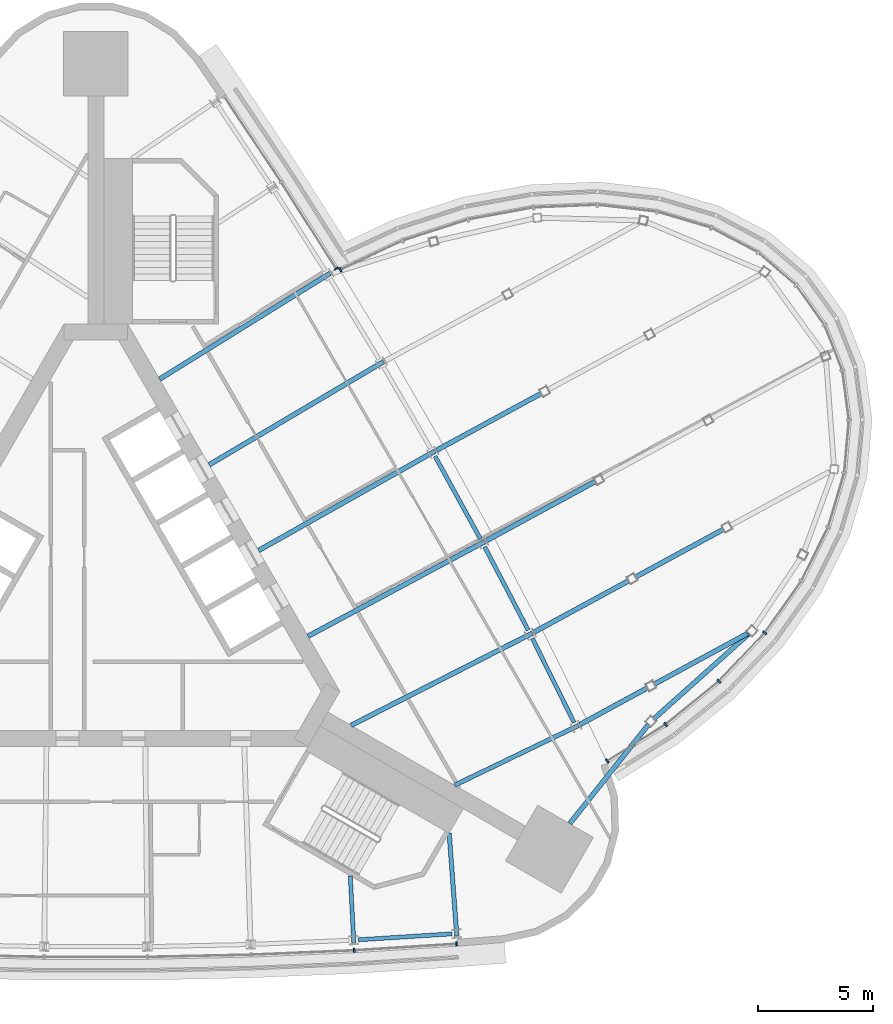
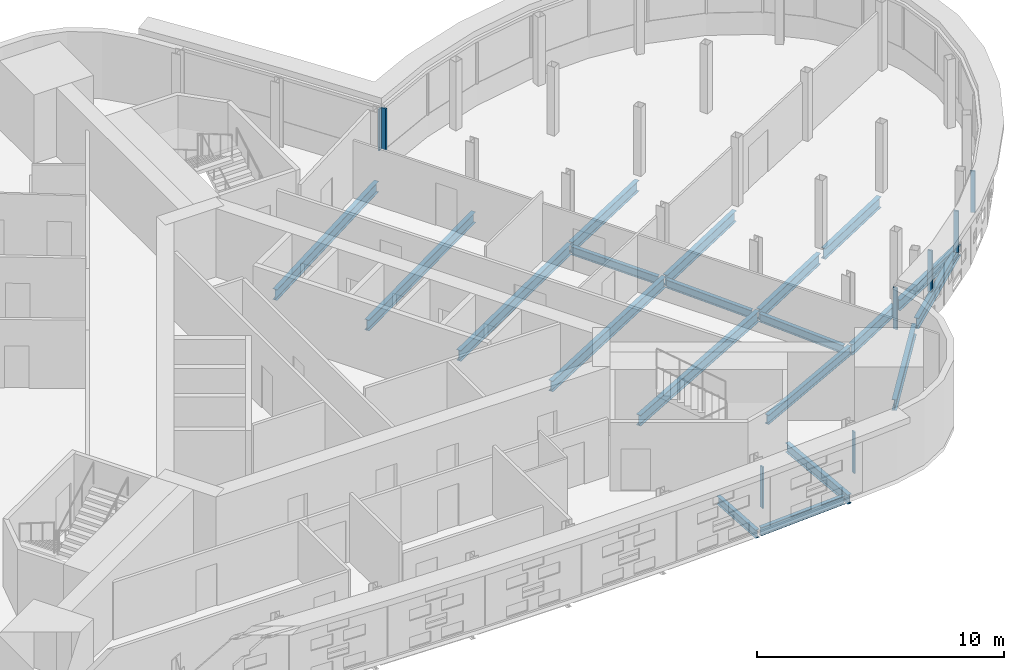
# One storey, part 6 of 15: 20 beams, 8 members, 3 elements without a shape of their own.
"""IFC4 building model written with IfcOpenShell, lengths in metres."""

from ifc_helpers import new_model, si_unit, direction, frame, origin, origin_2d, place, context, subcontext, project, spatial, rectangle, i_section, extrude, material, material_profile, profile_set, type_object, element, aggregate, save


model = new_model("IFC4")

# Units and contexts
model_context = context("Model", 3, precision=1e-05, world=origin(), true_north=direction((0.0, 1.0)))
body_context = subcontext(model_context, "Body", "Model", "MODEL_VIEW")
ifc_project = project(units=[si_unit("LENGTHUNIT", "METRE"), si_unit("AREAUNIT", "SQUARE_METRE"), si_unit("VOLUMEUNIT", "CUBIC_METRE"), si_unit("PLANEANGLEUNIT", "RADIAN"), si_unit("MASSUNIT", "GRAM", prefix="KILO")], contexts=[model_context])

# Site, building, storey
site_placement = place(None, origin())
site = spatial("IfcSite", under=ifc_project, at=site_placement, CompositionType="ELEMENT")
building_placement = place(site_placement, origin())
building = spatial("IfcBuilding", under=site, at=building_placement, Name="Noor Cloister Tower", CompositionType="ELEMENT")
storey_placement = place(building_placement, frame((0.0, 0.0, 177.89990234375)))
storey = spatial("IfcBuildingStorey", under=building, at=storey_placement, Name="L45", CompositionType="ELEMENT", Elevation=177.89990234375)

# Curtain wall, members
ifc_material_1 = material(Name="Aluminium 6063-T6 anodised", Category="aluminium")
curtain_wall_type_1 = type_object("IfcCurtainWallType", Name="Sky bar curtain wall, lower bars CW2", PredefinedType="NOTDEFINED", material=ifc_material_1)
curtain_wall_1_placement = place(storey_placement, origin())
curtain_wall_1 = element("IfcCurtainWall", 1, at=curtain_wall_1_placement, inside=storey, type_object=curtain_wall_type_1, Name="CW2 L45 NE sky bar run 3", PredefinedType="NOTDEFINED")
ifc_material_2 = material(Name="Aluminium 6063-T6 anodised", Category="aluminium")
ifc_material_profile_1 = material_profile(ifc_material_2, rectangle(XDim=0.199951171875, YDim=0.080078125, at=origin_2d()), Name="200 x 80 mullion")
ifc_profile_set_1 = profile_set([ifc_material_profile_1], Name="Aluminium 6063-T6 anodised")
member_type_1 = type_object("IfcMemberType", Name="Mullion CW2 80 x 200", PredefinedType="MULLION", material=ifc_profile_set_1)
member_1_placement = place(storey_placement, frame((22.245849609375, -7.55615234375, 1.10009765625), z_axis=(0.0, 0.0, 1.0), x_axis=(-0.530209130186, 0.84786689891, 0.0)))
member_1 = element("IfcMember", 2, at=member_1_placement, type_object=member_type_1, Name="CW2 mullion 1", PredefinedType="MULLION", context=body_context, shape_type="SweptSolid", body=[
    extrude(rectangle(XDim=0.199951171875, YDim=0.080078125, at=origin_2d()), origin(), (0.0, 0.0, 1.0), 2.050048828125),
])
member_2_placement = place(storey_placement, frame((24.7880859375, -5.966552734375, 1.10009765625), z_axis=(0.0, 0.0, 1.0), x_axis=(-0.581874396792, 0.81327866464, 0.0)))
member_2 = element("IfcMember", 3, at=member_2_placement, type_object=member_type_1, Name="CW2 mullion 2", PredefinedType="MULLION", context=body_context, shape_type="SweptSolid", body=[
    extrude(rectangle(XDim=0.199951171875, YDim=0.080078125, at=origin_2d()), origin(), (0.0, 0.0, 1.0), 2.050048828125),
])
member_3_placement = place(storey_placement, frame((27.103271484375, -4.08203125, 1.10009765625), z_axis=(0.0, 0.0, 1.0), x_axis=(-0.680412465935, 0.732829363632, 0.0)))
member_3 = element("IfcMember", 4, at=member_3_placement, type_object=member_type_1, Name="CW2 mullion 3", PredefinedType="MULLION", context=body_context, shape_type="SweptSolid", body=[
    extrude(rectangle(XDim=0.199951171875, YDim=0.080078125, at=origin_2d()), origin(), (0.0, 0.0, 1.0), 2.050048828125),
])
member_4_placement = place(storey_placement, frame((29.092041015625, -1.978271484375, 1.10009765625), z_axis=(0.0, 0.0, 1.0), x_axis=(-0.773025810349, 0.63437457116, 0.0)))
member_4 = element("IfcMember", 5, at=member_4_placement, type_object=member_type_1, Name="CW2 mullion 4", PredefinedType="MULLION", context=body_context, shape_type="SweptSolid", body=[
    extrude(rectangle(XDim=0.199951171875, YDim=0.080078125, at=origin_2d()), origin(), (0.0, 0.0, 1.0), 2.050048828125),
])
member_5_placement = place(storey_placement, frame((10.63671875, 13.81494140625, 1.10009765625), z_axis=(0.0, 0.0, 1.0), x_axis=(0.42267033408, -0.906283503485, 0.0)))
member_5 = element("IfcMember", 6, at=member_5_placement, type_object=member_type_1, Name="CW2 mullion 19", PredefinedType="MULLION", context=body_context, shape_type="SweptSolid", body=[
    extrude(rectangle(XDim=0.199951171875, YDim=0.080078125, at=origin_2d()), origin(), (0.0, 0.0, 1.0), 2.050048828125),
])
aggregate(curtain_wall_1, [member_1, member_2, member_3, member_4, member_5])

ifc_material_3 = material(Name="Aluminium 6063-T6 anodised", Category="aluminium")
curtain_wall_type_2 = type_object("IfcCurtainWallType", Name="Ribbon curtain wall, upper tower CW5", PredefinedType="NOTDEFINED", material=ifc_material_3)
curtain_wall_2_placement = place(storey_placement, origin())
curtain_wall_2 = element("IfcCurtainWall", 7, at=curtain_wall_2_placement, inside=storey, type_object=curtain_wall_type_2, Name="CW5 L45 S run 2", PredefinedType="NOTDEFINED")
ifc_material_4 = material(Name="Aluminium 6063-T6 anodised", Category="aluminium")
ifc_material_profile_2 = material_profile(ifc_material_4, rectangle(XDim=0.179931640625, YDim=0.070068359375, at=origin_2d()), Name="180 x 70 mullion")
ifc_profile_set_2 = profile_set([ifc_material_profile_2], Name="Aluminium 6063-T6 anodised")
member_type_2 = type_object("IfcMemberType", Name="Mullion CW5 70 x 180", PredefinedType="MULLION", material=ifc_profile_set_2)
member_6_placement = place(storey_placement, frame((11.239501953125, -15.797607421875, 1.10009765625), z_axis=(0.0, 0.0, 1.0), x_axis=(-0.052929225413, 0.99859826612, 0.0)))
member_6 = element("IfcMember", 8, at=member_6_placement, type_object=member_type_2, Name="CW5 mullion 7", PredefinedType="MULLION", context=body_context, shape_type="SweptSolid", body=[
    extrude(rectangle(XDim=0.179931640625, YDim=0.070068359375, at=origin_2d()), origin(), (0.0, 0.0, 1.0), 2.050048828125),
])
member_7_placement = place(storey_placement, frame((15.6943359375, -15.51416015625, 1.10009765625), z_axis=(0.0, 0.0, 1.0), x_axis=(-0.063502011378, 0.997981710529, 0.0)))
member_7 = element("IfcMember", 9, at=member_7_placement, type_object=member_type_2, Name="CW5 mullion 8", PredefinedType="MULLION", context=body_context, shape_type="SweptSolid", body=[
    extrude(rectangle(XDim=0.179931640625, YDim=0.070068359375, at=origin_2d()), origin(), (0.0, 0.0, 1.0), 2.050048828125),
])
aggregate(curtain_wall_2, [member_6, member_7])

# Curtain wall, member
curtain_wall_3_placement = place(storey_placement, origin())
curtain_wall_3 = element("IfcCurtainWall", 10, at=curtain_wall_3_placement, inside=storey, type_object=curtain_wall_type_2, Name="CW5 L45 NE run 4", PredefinedType="NOTDEFINED")
member_8_placement = place(storey_placement, frame((10.455078125, 13.864501953125, 1.10009765625), z_axis=(0.0, 0.0, 1.0), x_axis=(-0.844073158066, -0.536228033426, 0.0)))
member_8 = element("IfcMember", 11, at=member_8_placement, type_object=member_type_2, Name="CW5 mullion 1", PredefinedType="MULLION", context=body_context, shape_type="SweptSolid", body=[
    extrude(rectangle(XDim=0.179931640625, YDim=0.070068359375, at=origin_2d()), origin(), (0.0, 0.0, 1.0), 2.050048828125),
])
aggregate(curtain_wall_3, [member_8])

# Beams
ifc_material_5 = material(Name="Steel ASTM A992 Gr 50", Category="steel")
ifc_material_profile_3 = material_profile(ifc_material_5, i_section(OverallWidth=0.208984375, OverallDepth=0.532958984375, WebThickness=0.01025390625, FlangeThickness=0.015625, FilletRadius=0.0126953125, at=origin_2d()), Name="W530x92")
ifc_profile_set_3 = profile_set([ifc_material_profile_3], Name="Steel ASTM A992 Gr 50")
beam_type_1 = type_object("IfcBeamType", Name="Pod floor beam W530x92", PredefinedType="BEAM", material=ifc_profile_set_3)
beam_1_placement = place(storey_placement, frame((21.062255859375, -5.96826171875, -0.46630859375), z_axis=(0.878731403637, 0.477316582849, 0.0), x_axis=(-0.477316582849, 0.878731403637, 0.0)))
element("IfcBeam", 12, at=beam_1_placement, inside=storey, type_object=beam_type_1, Name="Pod floor beam 3 L45 line 1 span 1", PredefinedType="BEAM", context=body_context, shape_type="SweptSolid", body=[
    extrude(i_section(OverallWidth=0.208984375, OverallDepth=0.532958984375, WebThickness=0.01025390625, FlangeThickness=0.015625, FilletRadius=0.0126953125, at=origin_2d()), origin(), (0.0, 0.0, 1.0), 3.332275390625),
])
beam_2_placement = place(storey_placement, frame((24.303466796875, -4.207763671875, -0.46630859375), z_axis=(0.878705842278, 0.477363637855, 0.0), x_axis=(-0.477363637855, 0.878705842278, 0.0)))
element("IfcBeam", 13, at=beam_2_placement, inside=storey, type_object=beam_type_1, Name="Pod floor beam 3 L45 line 1 span 2", PredefinedType="BEAM", context=body_context, shape_type="SweptSolid", body=[
    extrude(i_section(OverallWidth=0.208984375, OverallDepth=0.532958984375, WebThickness=0.01025390625, FlangeThickness=0.015625, FilletRadius=0.0126953125, at=origin_2d()), origin(), (0.0, 0.0, 1.0), 4.598876953125),
])
beam_3_placement = place(storey_placement, frame((19.0673828125, -1.94775390625, -0.46630859375), z_axis=(0.878733977195, 0.477311844942, 0.0), x_axis=(-0.477311844942, 0.878733977195, 0.0)))
element("IfcBeam", 14, at=beam_3_placement, inside=storey, type_object=beam_type_1, Name="Pod floor beam 3 L45 line 2 span 1", PredefinedType="BEAM", context=body_context, shape_type="SweptSolid", body=[
    extrude(i_section(OverallWidth=0.208984375, OverallDepth=0.532958984375, WebThickness=0.01025390625, FlangeThickness=0.015625, FilletRadius=0.0126953125, at=origin_2d()), origin(), (0.0, 0.0, 1.0), 4.677490234375),
])
beam_4_placement = place(storey_placement, frame((23.49072265625, 0.454833984375, -0.46630859375), z_axis=(0.878709161334, 0.477357528262, 0.0), x_axis=(-0.477357528262, 0.878709161334, 0.0)))
element("IfcBeam", 15, at=beam_4_placement, inside=storey, type_object=beam_type_1, Name="Pod floor beam 3 L45 line 2 span 2", PredefinedType="BEAM", context=body_context, shape_type="SweptSolid", body=[
    extrude(i_section(OverallWidth=0.208984375, OverallDepth=0.532958984375, WebThickness=0.01025390625, FlangeThickness=0.015625, FilletRadius=0.0126953125, at=origin_2d()), origin(), (0.0, 0.0, 1.0), 4.339599609375),
])
beam_5_placement = place(storey_placement, frame((16.988037109375, 2.029541015625, -0.46630859375), z_axis=(0.87870749441, 0.477360596685, 0.0), x_axis=(-0.477360596685, 0.87870749441, 0.0)))
element("IfcBeam", 16, at=beam_5_placement, inside=storey, type_object=beam_type_1, Name="Pod floor beam 3 L45 line 3 span 1", PredefinedType="BEAM", context=body_context, shape_type="SweptSolid", body=[
    extrude(i_section(OverallWidth=0.208984375, OverallDepth=0.532958984375, WebThickness=0.01025390625, FlangeThickness=0.015625, FilletRadius=0.0126953125, at=origin_2d()), origin(), (0.0, 0.0, 1.0), 5.392578125),
])
beam_6_placement = place(storey_placement, frame((14.82763671875, 5.963623046875, -0.46630859375), z_axis=(0.878718305865, 0.477340694826, 0.0), x_axis=(-0.477340694826, 0.878718305865, 0.0)))
element("IfcBeam", 17, at=beam_6_placement, inside=storey, type_object=beam_type_1, Name="Pod floor beam 3 L45 line 4 span 1", PredefinedType="BEAM", context=body_context, shape_type="SweptSolid", body=[
    extrude(i_section(OverallWidth=0.208984375, OverallDepth=0.532958984375, WebThickness=0.01025390625, FlangeThickness=0.015625, FilletRadius=0.0126953125, at=origin_2d()), origin(), (0.0, 0.0, 1.0), 5.174560546875),
])
beam_7_placement = place(storey_placement, frame((20.621826171875, -10.271728515625, -0.46630859375), z_axis=(0.622107423709, 0.78293189574, 0.0), x_axis=(-0.78293189574, 0.622107423709, 0.0)))
element("IfcBeam", 18, at=beam_7_placement, inside=storey, type_object=beam_type_1, Name="Pod floor beam 3 L45 ring 1", PredefinedType="BEAM", context=body_context, shape_type="SweptSolid", body=[
    extrude(i_section(OverallWidth=0.208984375, OverallDepth=0.532958984375, WebThickness=0.01025390625, FlangeThickness=0.015625, FilletRadius=0.0126953125, at=origin_2d()), origin(), (0.0, 0.0, 1.0), 5.47265625),
])
beam_8_placement = place(storey_placement, frame((24.282470703125, -5.71484375, -0.46630859375), z_axis=(0.745362655337, 0.666659217313, 0.0), x_axis=(-0.666659217313, 0.745362655337, 0.0)))
element("IfcBeam", 19, at=beam_8_placement, inside=storey, type_object=beam_type_1, Name="Pod floor beam 3 L45 ring 2", PredefinedType="BEAM", context=body_context, shape_type="SweptSolid", body=[
    extrude(i_section(OverallWidth=0.208984375, OverallDepth=0.532958984375, WebThickness=0.01025390625, FlangeThickness=0.015625, FilletRadius=0.0126953125, at=origin_2d()), origin(), (0.0, 0.0, 1.0), 5.524658203125),
])
ifc_material_6 = material(Name="Steel ASTM A992 Gr 50", Category="steel")
ifc_material_profile_4 = material_profile(ifc_material_6, i_section(OverallWidth=0.177978515625, OverallDepth=0.406005859375, WebThickness=0.0078125, FlangeThickness=0.0126953125, FilletRadius=0.01025390625, at=origin_2d()), Name="W410x60")
ifc_profile_set_4 = profile_set([ifc_material_profile_4], Name="Steel ASTM A992 Gr 50")
beam_type_2 = type_object("IfcBeamType", Name="Radial beam W410x60", PredefinedType="BEAM", material=ifc_profile_set_4)
beam_9_placement = place(storey_placement, frame((11.2216796875, -15.4599609375, -0.40283203125), z_axis=(-0.052963490768, 0.998596449346, 0.0), x_axis=(-0.998596449346, -0.052963490768, 0.0)))
element("IfcBeam", 20, at=beam_9_placement, inside=storey, type_object=beam_type_2, Name="Radial beam S 07 L45", PredefinedType="BEAM", context=body_context, shape_type="SweptSolid", body=[
    extrude(i_section(OverallWidth=0.177978515625, OverallDepth=0.406005859375, WebThickness=0.0078125, FlangeThickness=0.0126953125, FilletRadius=0.01025390625, at=origin_2d()), origin(), (0.0, 0.0, 1.0), 2.913330078125),
])
ifc_material_7 = material(Name="Steel ASTM A992 Gr 50", Category="steel")
ifc_material_profile_5 = material_profile(ifc_material_7, i_section(OverallWidth=0.19091796875, OverallDepth=0.45703125, WebThickness=0.009033203125, FlangeThickness=0.014404296875, FilletRadius=0.01025390625, at=origin_2d()), Name="W460x74")
ifc_profile_set_5 = profile_set([ifc_material_profile_5], Name="Steel ASTM A992 Gr 50")
beam_type_3 = type_object("IfcBeamType", Name="Radial beam W460x74", PredefinedType="BEAM", material=ifc_profile_set_5)
beam_10_placement = place(storey_placement, frame((15.703125, -15.1748046875, -0.428466796875), z_axis=(-0.074063693337, 0.997253513069, 0.0), x_axis=(-0.997253513069, -0.074063693337, 0.0)))
element("IfcBeam", 21, at=beam_10_placement, inside=storey, type_object=beam_type_3, Name="Radial beam S 08 L45", PredefinedType="BEAM", context=body_context, shape_type="SweptSolid", body=[
    extrude(i_section(OverallWidth=0.19091796875, OverallDepth=0.45703125, WebThickness=0.009033203125, FlangeThickness=0.014404296875, FilletRadius=0.01025390625, at=origin_2d()), origin(), (0.0, 0.0, 1.0), 4.496337890625),
])
beam_11_placement = place(storey_placement, frame((20.993408203125, -6.011962890625, -0.428466796875), z_axis=(-0.900685053189, -0.434472594028, 0.0), x_axis=(0.434472594028, -0.900685053189, 0.0)))
element("IfcBeam", 22, at=beam_11_placement, inside=storey, type_object=beam_type_3, Name="Radial beam NE 01 L45", PredefinedType="BEAM", context=body_context, shape_type="SweptSolid", body=[
    extrude(i_section(OverallWidth=0.19091796875, OverallDepth=0.45703125, WebThickness=0.009033203125, FlangeThickness=0.014404296875, FilletRadius=0.01025390625, at=origin_2d()), origin(), (0.0, 0.0, 1.0), 5.9765625),
])
ifc_material_8 = material(Name="Steel ASTM A992 Gr 50", Category="steel")
ifc_material_profile_6 = material_profile(ifc_material_8, i_section(OverallWidth=0.208984375, OverallDepth=0.532958984375, WebThickness=0.01025390625, FlangeThickness=0.015625, FilletRadius=0.0126953125, at=origin_2d()), Name="W530x92")
ifc_profile_set_6 = profile_set([ifc_material_profile_6], Name="Steel ASTM A992 Gr 50")
beam_type_4 = type_object("IfcBeamType", Name="Radial beam W530x92", PredefinedType="BEAM", material=ifc_profile_set_6)
beam_12_placement = place(storey_placement, frame((18.99951171875, -1.988037109375, -0.46630859375), z_axis=(-0.891275100138, -0.453463003864, 0.0), x_axis=(0.453463003864, -0.891275100138, 0.0)))
element("IfcBeam", 23, at=beam_12_placement, inside=storey, type_object=beam_type_4, Name="Radial beam NE 02 L45", PredefinedType="BEAM", context=body_context, shape_type="SweptSolid", body=[
    extrude(i_section(OverallWidth=0.208984375, OverallDepth=0.532958984375, WebThickness=0.01025390625, FlangeThickness=0.015625, FilletRadius=0.0126953125, at=origin_2d()), origin(), (0.0, 0.0, 1.0), 8.8603515625),
])
beam_13_placement = place(storey_placement, frame((16.9208984375, 1.992431640625, -0.46630859375), z_axis=(-0.881477058611, -0.472226847122, 0.0), x_axis=(0.472226847122, -0.881477058611, 0.0)))
element("IfcBeam", 24, at=beam_13_placement, inside=storey, type_object=beam_type_4, Name="Radial beam NE 03 L45", PredefinedType="BEAM", context=body_context, shape_type="SweptSolid", body=[
    extrude(i_section(OverallWidth=0.208984375, OverallDepth=0.532958984375, WebThickness=0.01025390625, FlangeThickness=0.015625, FilletRadius=0.0126953125, at=origin_2d()), origin(), (0.0, 0.0, 1.0), 8.726318359375),
])
for number, where, z_axis, x_axis, name in (
    (25, (14.758544921875, 5.92822265625, -0.46630859375), (-0.871276643903, -0.490792226701, 0.0), (0.490792226701, -0.871276643903, 0.0), "Radial beam NE 04 L45"),
    (26, (12.51318359375, 9.817138671875, -0.46630859375), (-0.860676725075, -0.509151819122, 0.0), (0.509151819122, -0.860676725075, 0.0), "Radial beam NE 05 L45"),
):
    element("IfcBeam", number, at=place(storey_placement, frame(where, z_axis=z_axis, x_axis=x_axis)), inside=storey, type_object=beam_type_4, Name=name, PredefinedType="BEAM", context=body_context, shape_type="SweptSolid", body=[
        extrude(i_section(OverallWidth=0.208984375, OverallDepth=0.532958984375, WebThickness=0.01025390625, FlangeThickness=0.015625, FilletRadius=0.0126953125, at=origin_2d()), origin(), (0.0, 0.0, 1.0), 8.817626953125),
    ])
beam_14_placement = place(storey_placement, frame((10.18603515625, 13.65771484375, -0.46630859375), z_axis=(-0.849702407051, -0.52726257164, 0.0), x_axis=(0.52726257164, -0.849702407051, 0.0)))
element("IfcBeam", 27, at=beam_14_placement, inside=storey, type_object=beam_type_4, Name="Radial beam NE 06 L45", PredefinedType="BEAM", context=body_context, shape_type="SweptSolid", body=[
    extrude(i_section(OverallWidth=0.208984375, OverallDepth=0.532958984375, WebThickness=0.01025390625, FlangeThickness=0.015625, FilletRadius=0.0126953125, at=origin_2d()), origin(), (0.0, 0.0, 1.0), 8.726318359375),
])
ifc_material_9 = material(Name="Steel ASTM A992 Gr 50", Category="steel")
ifc_material_profile_7 = material_profile(ifc_material_9, i_section(OverallWidth=0.177978515625, OverallDepth=0.406005859375, WebThickness=0.0078125, FlangeThickness=0.0126953125, FilletRadius=0.01025390625, at=origin_2d()), Name="W410x60")
ifc_profile_set_7 = profile_set([ifc_material_profile_7], Name="Steel ASTM A992 Gr 50")
beam_type_5 = type_object("IfcBeamType", Name="Spandrel beam W410x60", PredefinedType="SPANDREL", material=ifc_profile_set_7)
for number, where, z_axis, x_axis, name in (
    (28, (11.412353515625, -15.335693359375, -0.40283203125), (0.99798140433, 0.063506823352, 0.0), (-0.063506823352, 0.99798140433, 0.0), "Spandrel beam S 07 L45"),
    (29, (20.804931640625, -5.884033203125, -0.40283203125), (-0.444014503497, 0.896019598382, 0.0), (-0.896019598382, -0.444014503497, 0.0), "Spandrel beam NE 01 L45"),
    (30, (18.80859375, -1.8642578125, -0.40283203125), (-0.462910374698, 0.886405090801, 0.0), (-0.886405090801, -0.462910374698, 0.0), "Spandrel beam NE 02 L45"),
):
    element("IfcBeam", number, at=place(storey_placement, frame(where, z_axis=z_axis, x_axis=x_axis)), inside=storey, type_object=beam_type_5, Name=name, PredefinedType="SPANDREL", context=body_context, shape_type="SweptSolid", body=[
        extrude(i_section(OverallWidth=0.177978515625, OverallDepth=0.406005859375, WebThickness=0.0078125, FlangeThickness=0.0126953125, FilletRadius=0.01025390625, at=origin_2d()), origin(), (0.0, 0.0, 1.0), 4.09423828125),
    ])
beam_15_placement = place(storey_placement, frame((16.727294921875, 2.1123046875, -0.40283203125), z_axis=(-0.481536411785, 0.876426085945, 0.0), x_axis=(-0.876426085945, -0.481536411785, 0.0)))
element("IfcBeam", 31, at=beam_15_placement, inside=storey, type_object=beam_type_5, Name="Spandrel beam NE 03 L45", PredefinedType="SPANDREL", context=body_context, shape_type="SweptSolid", body=[
    extrude(i_section(OverallWidth=0.177978515625, OverallDepth=0.406005859375, WebThickness=0.0078125, FlangeThickness=0.0126953125, FilletRadius=0.01025390625, at=origin_2d()), origin(), (0.0, 0.0, 1.0), 4.093994140625),
])

save(model, "model.ifc")
